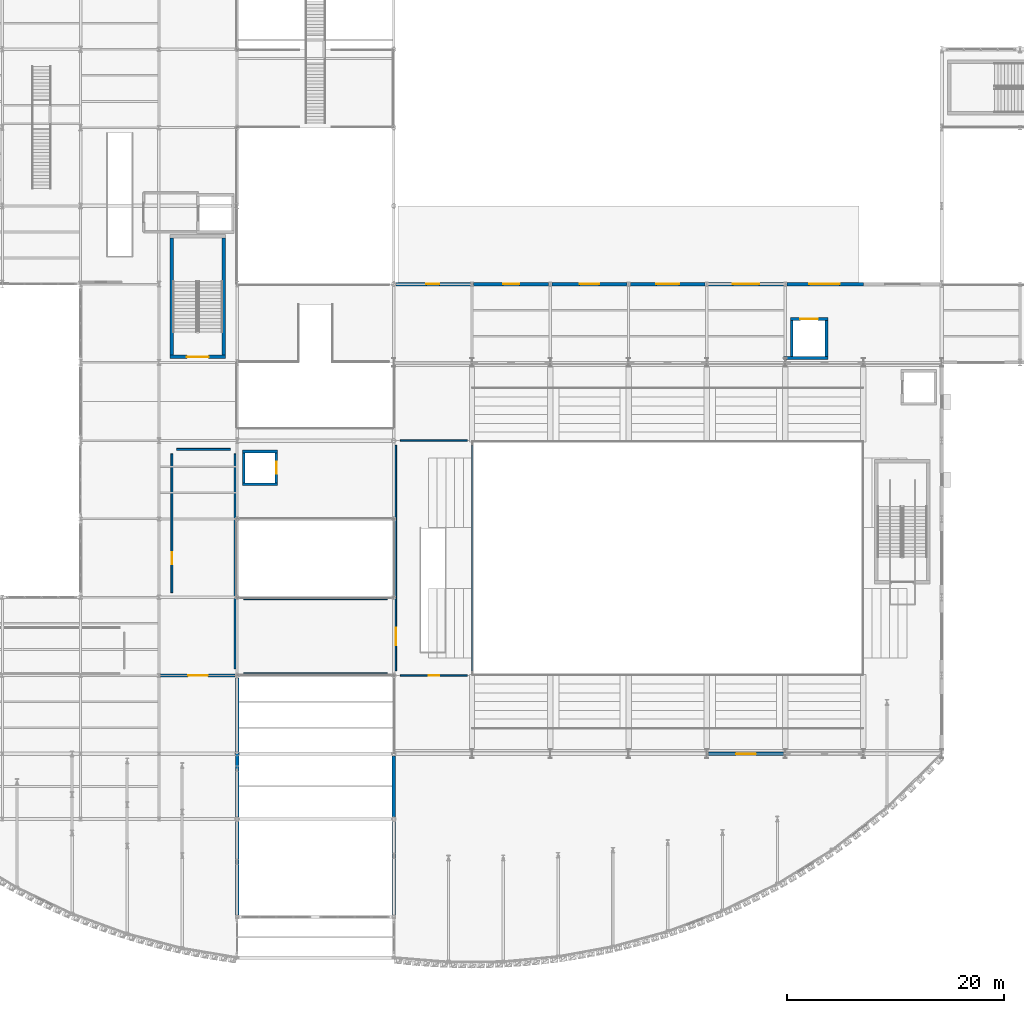
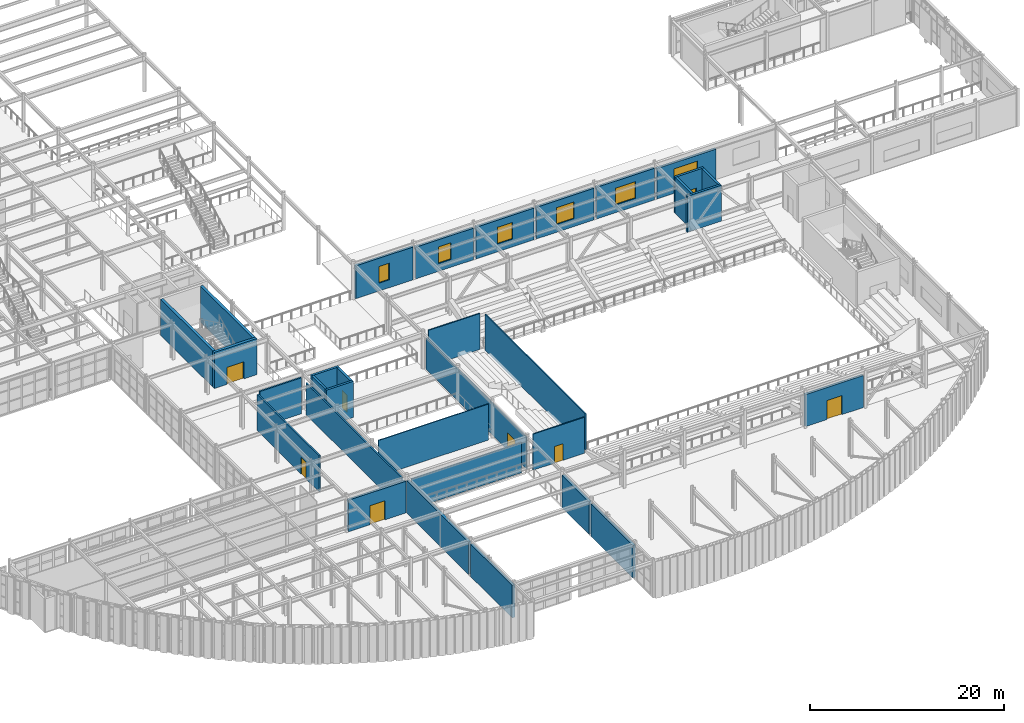
# One storey, part 95 of 121: 32 walls, 8 doors, 6 windows, 14 openings.
"""IFC4 building model written with IfcOpenShell, lengths in metres."""

from ifc_helpers import new_model, si_unit, direction, frame, frame_2d, origin, place, context, subcontext, project, spatial, rectangle, extrude, material, layer, layer_set, type_object, element, fill, save


model = new_model("IFC4")

# Units and contexts
model_context = context("Model", 3, precision=1e-05, world=origin(), true_north=direction((0.0, 1.0)))
body_context = subcontext(model_context, "Body", "Model", "MODEL_VIEW")
ifc_project = project(units=[si_unit("LENGTHUNIT", "METRE"), si_unit("AREAUNIT", "SQUARE_METRE"), si_unit("VOLUMEUNIT", "CUBIC_METRE"), si_unit("PLANEANGLEUNIT", "RADIAN"), si_unit("MASSUNIT", "GRAM", prefix="KILO")], contexts=[model_context])

# Site, building, storey
site_placement = place(None, origin())
site = spatial("IfcSite", under=ifc_project, at=site_placement, CompositionType="ELEMENT")
building_placement = place(site_placement, origin())
building = spatial("IfcBuilding", under=site, at=building_placement, Name="Solvadek Multi-Sports Hall", CompositionType="ELEMENT")
storey_placement = place(building_placement, frame((0.0, 0.0, 4.800048828125)))
storey = spatial("IfcBuildingStorey", under=building, at=storey_placement, Name="L01", CompositionType="ELEMENT", Elevation=4.800048828125)

# Walls
ifc_material_1 = material(Name="Dressed honey-cream limestone ashlar", Category="masonry")
ifc_layer_1 = layer(ifc_material_1, 0.300048828125, Name="Dressed honey-cream limestone ashlar")
ifc_layer_set_1 = layer_set([ifc_layer_1], Name="Dressed honey-cream limestone ashlar")
wall_type_1 = type_object("IfcWallType", Name="ENV-WAL-EXT300", PredefinedType="SOLIDWALL", material=ifc_layer_set_1)
wall_1_placement = place(storey_placement, frame((72.0, -8.845947265625, 0.0), z_axis=(0.0, 0.0, 1.0), x_axis=(0.0, 1.0, 0.0)))
element("IfcWall", 1, at=wall_1_placement, inside=storey, type_object=wall_type_1, Name="L01 Exterior Masonry Wall #215", PredefinedType="SOLIDWALL", context=body_context, shape_type="SweptSolid", body=[
    extrude(rectangle(XDim=8.638671875, YDim=0.300048828125, at=frame_2d((4.3193359375, 0.0))), origin(), (0.0, 0.0, 1.0), 4.094970703125),
])
wall_2_placement = place(storey_placement, frame((72.0, 0.207275390625, 0.0), z_axis=(0.0, 0.0, 1.0), x_axis=(0.0, 1.0, 0.0)))
element("IfcWall", 2, at=wall_2_placement, inside=storey, type_object=wall_type_1, Name="L01 Exterior Masonry Wall #218", PredefinedType="SOLIDWALL", context=body_context, shape_type="SweptSolid", body=[
    extrude(rectangle(XDim=12.78564453125, YDim=0.300048828125, at=frame_2d((6.392822265625, 0.0))), origin(), (0.0, 0.0, 1.0), 4.094970703125),
])
wall_3_placement = place(storey_placement, frame((86.39990234375, -8.845947265625, 0.0), z_axis=(0.0, 0.0, 1.0), x_axis=(0.0, 1.0, 0.0)))
element("IfcWall", 3, at=wall_3_placement, inside=storey, type_object=wall_type_1, Name="L01 Exterior Masonry Wall #222", PredefinedType="SOLIDWALL", context=body_context, shape_type="SweptSolid", body=[
    extrude(rectangle(XDim=8.638671875, YDim=0.300048828125, at=frame_2d((4.3193359375, 0.0))), origin(), (0.0, 0.0, 1.0), 4.094970703125),
])
wall_4_placement = place(storey_placement, frame((86.39990234375, 0.207275390625, 0.0), z_axis=(0.0, 0.0, 1.0), x_axis=(0.0, 1.0, 0.0)))
element("IfcWall", 4, at=wall_4_placement, inside=storey, type_object=wall_type_1, Name="L01 Exterior Masonry Wall #225", PredefinedType="SOLIDWALL", context=body_context, shape_type="SweptSolid", body=[
    extrude(rectangle(XDim=5.58544921875, YDim=0.300048828125, at=frame_2d((2.792724609375, 0.0))), origin(), (0.0, 0.0, 1.0), 4.094970703125),
])

# Wall, opening, window
wall_5_placement = place(storey_placement, frame((86.607177734375, 49.199951171875, 0.0), z_axis=(0.0, 0.0, 1.0), x_axis=(1.0, 0.0, 0.0)))
wall_5 = element("IfcWall", 5, at=wall_5_placement, inside=storey, type_object=wall_type_1, Name="L01 Exterior Masonry Wall #245", PredefinedType="SOLIDWALL", context=body_context, shape_type="SweptSolid", body=[
    extrude(rectangle(XDim=6.8388671875, YDim=0.300048828125, at=frame_2d((3.41943359375, 0.0))), origin(), (0.0, 0.0, 1.0), 4.14501953125),
])
opening_1_placement = place(wall_5_placement, frame((2.792724609375, 0.0, 1.0)))
opening_1 = element("IfcOpeningElement", 6, at=opening_1_placement, cuts=wall_5, Name="Opening WN-09", PredefinedType="OPENING", context=body_context, shape_type="SweptSolid", body=[
    extrude(rectangle(XDim=1.199951171875, YDim=2.10009765625, at=frame_2d((0.60009765625, 1.050048828125))), frame((0.0, 0.159912109375, 0.0), z_axis=(0.0, -1.0, 0.0), x_axis=(1.0, 0.0, 0.0)), (0.0, 0.0, 1.0), 0.320068359375),
])
ifc_material_2 = material(Name="Tempered laminated low-E glass", Category="glass")
window_type_1 = type_object("IfcWindowType", Name="ENV-WIN-WN-09", PartitioningType="SINGLE_PANEL", PredefinedType="WINDOW", material=ifc_material_2)
window_1_placement = place(opening_1_placement, origin())
window_1 = element("IfcWindow", 7, at=window_1_placement, inside=storey, type_object=window_type_1, Name="L01 Facade Window WN-09 #101", OverallHeight=2.10009765625, OverallWidth=1.199951171875, PartitioningType="SINGLE_PANEL", PredefinedType="WINDOW", context=body_context, shape_type="SweptSolid", body=[
    extrude(rectangle(XDim=1.199951171875, YDim=2.10009765625, at=frame_2d((0.60009765625, 1.050048828125))), frame((0.0, 0.030029296875, 0.0), z_axis=(0.0, -1.0, 0.0), x_axis=(1.0, 0.0, 0.0)), (0.0, 0.0, 1.0), 0.06005859375),
])
fill(opening_1, window_1)

wall_6_placement = place(storey_placement, frame((93.75390625, 49.199951171875, 0.0), z_axis=(0.0, 0.0, 1.0), x_axis=(1.0, 0.0, 0.0)))
wall_6 = element("IfcWall", 8, at=wall_6_placement, inside=storey, type_object=wall_type_1, Name="L01 Exterior Masonry Wall #246", PredefinedType="SOLIDWALL", context=body_context, shape_type="SweptSolid", body=[
    extrude(rectangle(XDim=6.89208984375, YDim=0.300048828125, at=frame_2d((3.446044921875, 0.0))), origin(), (0.0, 0.0, 1.0), 3.994873046875),
])
opening_2_placement = place(wall_6_placement, frame((2.696044921875, 0.0, 1.0)))
opening_2 = element("IfcOpeningElement", 9, at=opening_2_placement, cuts=wall_6, Name="Opening WN-10", PredefinedType="OPENING", context=body_context, shape_type="SweptSolid", body=[
    extrude(rectangle(XDim=1.5, YDim=2.10009765625, at=frame_2d((0.75, 1.050048828125))), frame((0.0, 0.159912109375, 0.0), z_axis=(0.0, -1.0, 0.0), x_axis=(1.0, 0.0, 0.0)), (0.0, 0.0, 1.0), 0.320068359375),
])
window_type_2 = type_object("IfcWindowType", Name="ENV-WIN-WN-10", PartitioningType="SINGLE_PANEL", PredefinedType="WINDOW", material=ifc_material_2)
window_2_placement = place(opening_2_placement, origin())
window_2 = element("IfcWindow", 10, at=window_2_placement, inside=storey, type_object=window_type_2, Name="L01 Facade Window WN-10 #102", OverallHeight=2.10009765625, OverallWidth=1.5, PartitioningType="SINGLE_PANEL", PredefinedType="WINDOW", context=body_context, shape_type="SweptSolid", body=[
    extrude(rectangle(XDim=1.5, YDim=2.10009765625, at=frame_2d((0.75, 1.050048828125))), frame((0.0, 0.030029296875, 0.0), z_axis=(0.0, -1.0, 0.0), x_axis=(1.0, 0.0, 0.0)), (0.0, 0.0, 1.0), 0.06005859375),
])
fill(opening_2, window_2)

wall_7_placement = place(storey_placement, frame((100.9541015625, 49.199951171875, 0.0), z_axis=(0.0, 0.0, 1.0), x_axis=(1.0, 0.0, 0.0)))
wall_7 = element("IfcWall", 11, at=wall_7_placement, inside=storey, type_object=wall_type_1, Name="L01 Exterior Masonry Wall #247", PredefinedType="SOLIDWALL", context=body_context, shape_type="SweptSolid", body=[
    extrude(rectangle(XDim=6.891845703125, YDim=0.300048828125, at=frame_2d((3.44580078125, 0.0))), origin(), (0.0, 0.0, 1.0), 3.994873046875),
])
opening_3_placement = place(wall_7_placement, frame((2.5458984375, 0.0, 1.0)))
opening_3 = element("IfcOpeningElement", 12, at=opening_3_placement, cuts=wall_7, Name="Opening WN-11", PredefinedType="OPENING", context=body_context, shape_type="SweptSolid", body=[
    extrude(rectangle(XDim=1.800048828125, YDim=2.10009765625, at=frame_2d((0.89990234375, 1.050048828125))), frame((0.0, 0.159912109375, 0.0), z_axis=(0.0, -1.0, 0.0), x_axis=(1.0, 0.0, 0.0)), (0.0, 0.0, 1.0), 0.320068359375),
])
window_type_3 = type_object("IfcWindowType", Name="ENV-WIN-WN-11", PartitioningType="SINGLE_PANEL", PredefinedType="WINDOW", material=ifc_material_2)
window_3_placement = place(opening_3_placement, origin())
window_3 = element("IfcWindow", 13, at=window_3_placement, inside=storey, type_object=window_type_3, Name="L01 Facade Window WN-11 #103", OverallHeight=2.10009765625, OverallWidth=1.800048828125, PartitioningType="SINGLE_PANEL", PredefinedType="WINDOW", context=body_context, shape_type="SweptSolid", body=[
    extrude(rectangle(XDim=1.800048828125, YDim=2.10009765625, at=frame_2d((0.89990234375, 1.050048828125))), frame((0.0, 0.030029296875, 0.0), z_axis=(0.0, -1.0, 0.0), x_axis=(1.0, 0.0, 0.0)), (0.0, 0.0, 1.0), 0.06005859375),
])
fill(opening_3, window_3)

wall_8_placement = place(storey_placement, frame((108.154052734375, 49.199951171875, 0.0), z_axis=(0.0, 0.0, 1.0), x_axis=(1.0, 0.0, 0.0)))
wall_8 = element("IfcWall", 14, at=wall_8_placement, inside=storey, type_object=wall_type_1, Name="L01 Exterior Masonry Wall #248", PredefinedType="SOLIDWALL", context=body_context, shape_type="SweptSolid", body=[
    extrude(rectangle(XDim=6.891845703125, YDim=0.300048828125, at=frame_2d((3.44580078125, 0.0))), origin(), (0.0, 0.0, 1.0), 3.994873046875),
])
opening_4_placement = place(wall_8_placement, frame((2.39599609375, 0.0, 1.0)))
opening_4 = element("IfcOpeningElement", 15, at=opening_4_placement, cuts=wall_8, Name="Opening WN-12", PredefinedType="OPENING", context=body_context, shape_type="SweptSolid", body=[
    extrude(rectangle(XDim=2.10009765625, YDim=2.10009765625, at=frame_2d((1.050048828125, 1.050048828125))), frame((0.0, 0.159912109375, 0.0), z_axis=(0.0, -1.0, 0.0), x_axis=(1.0, 0.0, 0.0)), (0.0, 0.0, 1.0), 0.320068359375),
])
window_type_4 = type_object("IfcWindowType", Name="ENV-WIN-WN-12", PartitioningType="SINGLE_PANEL", PredefinedType="WINDOW", material=ifc_material_2)
window_4_placement = place(opening_4_placement, origin())
window_4 = element("IfcWindow", 16, at=window_4_placement, inside=storey, type_object=window_type_4, Name="L01 Facade Window WN-12 #104", OverallHeight=2.10009765625, OverallWidth=2.10009765625, PartitioningType="SINGLE_PANEL", PredefinedType="WINDOW", context=body_context, shape_type="SweptSolid", body=[
    extrude(rectangle(XDim=2.10009765625, YDim=2.10009765625, at=frame_2d((1.050048828125, 1.050048828125))), frame((0.0, 0.030029296875, 0.0), z_axis=(0.0, -1.0, 0.0), x_axis=(1.0, 0.0, 0.0)), (0.0, 0.0, 1.0), 0.06005859375),
])
fill(opening_4, window_4)

wall_9_placement = place(storey_placement, frame((115.35400390625, 49.199951171875, 0.0), z_axis=(0.0, 0.0, 1.0), x_axis=(1.0, 0.0, 0.0)))
wall_9 = element("IfcWall", 17, at=wall_9_placement, inside=storey, type_object=wall_type_1, Name="L01 Exterior Masonry Wall #249", PredefinedType="SOLIDWALL", context=body_context, shape_type="SweptSolid", body=[
    extrude(rectangle(XDim=6.89208984375, YDim=0.300048828125, at=frame_2d((3.446044921875, 0.0))), origin(), (0.0, 0.0, 1.0), 3.994873046875),
])
opening_5_placement = place(wall_9_placement, frame((2.24609375, 0.0, 1.0)))
opening_5 = element("IfcOpeningElement", 18, at=opening_5_placement, cuts=wall_9, Name="Opening WN-13", PredefinedType="OPENING", context=body_context, shape_type="SweptSolid", body=[
    extrude(rectangle(XDim=2.39990234375, YDim=2.10009765625, at=frame_2d((1.199951171875, 1.050048828125))), frame((0.0, 0.159912109375, 0.0), z_axis=(0.0, -1.0, 0.0), x_axis=(1.0, 0.0, 0.0)), (0.0, 0.0, 1.0), 0.320068359375),
])
window_type_5 = type_object("IfcWindowType", Name="ENV-WIN-WN-13", PartitioningType="SINGLE_PANEL", PredefinedType="WINDOW", material=ifc_material_2)
window_5_placement = place(opening_5_placement, origin())
window_5 = element("IfcWindow", 19, at=window_5_placement, inside=storey, type_object=window_type_5, Name="L01 Facade Window WN-13 #105", OverallHeight=2.10009765625, OverallWidth=2.39990234375, PartitioningType="SINGLE_PANEL", PredefinedType="WINDOW", context=body_context, shape_type="SweptSolid", body=[
    extrude(rectangle(XDim=2.39990234375, YDim=2.10009765625, at=frame_2d((1.199951171875, 1.050048828125))), frame((0.0, 0.030029296875, 0.0), z_axis=(0.0, -1.0, 0.0), x_axis=(1.0, 0.0, 0.0)), (0.0, 0.0, 1.0), 0.06005859375),
])
fill(opening_5, window_5)

wall_10_placement = place(storey_placement, frame((122.553955078125, 49.199951171875, 0.0), z_axis=(0.0, 0.0, 1.0), x_axis=(1.0, 0.0, 0.0)))
wall_10 = element("IfcWall", 20, at=wall_10_placement, inside=storey, type_object=wall_type_1, Name="L01 Exterior Masonry Wall #250", PredefinedType="SOLIDWALL", context=body_context, shape_type="SweptSolid", body=[
    extrude(rectangle(XDim=7.046142578125, YDim=0.300048828125, at=frame_2d((3.52294921875, 0.0))), origin(), (0.0, 0.0, 1.0), 3.844970703125),
])
opening_6_placement = place(wall_10_placement, frame((2.0458984375, 0.0, 1.0)))
opening_6 = element("IfcOpeningElement", 21, at=opening_6_placement, cuts=wall_10, Name="Opening WN-14", PredefinedType="OPENING", context=body_context, shape_type="SweptSolid", body=[
    extrude(rectangle(XDim=2.800048828125, YDim=2.10009765625, at=frame_2d((1.39990234375, 1.050048828125))), frame((0.0, 0.159912109375, 0.0), z_axis=(0.0, -1.0, 0.0), x_axis=(1.0, 0.0, 0.0)), (0.0, 0.0, 1.0), 0.320068359375),
])
window_type_6 = type_object("IfcWindowType", Name="ENV-WIN-WN-14", PartitioningType="SINGLE_PANEL", PredefinedType="WINDOW", material=ifc_material_2)
window_6_placement = place(opening_6_placement, origin())
window_6 = element("IfcWindow", 22, at=window_6_placement, inside=storey, type_object=window_type_6, Name="L01 Facade Window WN-14 #106", OverallHeight=2.10009765625, OverallWidth=2.800048828125, PartitioningType="SINGLE_PANEL", PredefinedType="WINDOW", context=body_context, shape_type="SweptSolid", body=[
    extrude(rectangle(XDim=2.800048828125, YDim=2.10009765625, at=frame_2d((1.39990234375, 1.050048828125))), frame((0.0, 0.030029296875, 0.0), z_axis=(0.0, -1.0, 0.0), x_axis=(1.0, 0.0, 0.0)), (0.0, 0.0, 1.0), 0.06005859375),
])
fill(opening_6, window_6)

# Wall, opening, door
wall_11_placement = place(storey_placement, frame((64.9541015625, 13.199951171875, 0.0), z_axis=(0.0, 0.0, 1.0), x_axis=(1.0, 0.0, 0.0)))
wall_11 = element("IfcWall", 23, at=wall_11_placement, inside=storey, type_object=wall_type_1, Name="L01 Exterior Masonry Wall #288", PredefinedType="SOLIDWALL", context=body_context, shape_type="SweptSolid", body=[
    extrude(rectangle(XDim=6.838623046875, YDim=0.300048828125, at=frame_2d((3.41943359375, 0.0))), origin(), (0.0, 0.0, 1.0), 3.994873046875),
])
opening_7_placement = place(wall_11_placement, frame((2.5458984375, 0.0, 0.0)))
opening_7 = element("IfcOpeningElement", 24, at=opening_7_placement, cuts=wall_11, Name="Opening D-LG01", PredefinedType="OPENING", context=body_context, shape_type="SweptSolid", body=[
    extrude(rectangle(XDim=1.800048828125, YDim=2.39990234375, at=frame_2d((0.89990234375, 1.199951171875))), frame((0.0, 0.159912109375, 0.0), z_axis=(0.0, -1.0, 0.0), x_axis=(1.0, 0.0, 0.0)), (0.0, 0.0, 1.0), 0.320068359375),
])
ifc_material_3 = material(Name="Anodised aluminium", Category="aluminium")
door_type_1 = type_object("IfcDoorType", Name="ENV-DOR-CTY180X240", OperationType="DOUBLE_DOOR_SINGLE_SWING", PredefinedType="DOOR", material=ifc_material_3)
door_1_placement = place(opening_7_placement, frame((1.800048828125, 0.0, 0.0), z_axis=(0.0, 0.0, 1.0), x_axis=(-1.0, 0.0, 0.0)))
door_1 = element("IfcDoor", 25, at=door_1_placement, inside=storey, type_object=door_type_1, Name="First Floor West Crescent Loggia Door", OperationType="DOUBLE_DOOR_SINGLE_SWING", OverallHeight=2.39990234375, OverallWidth=1.800048828125, PredefinedType="DOOR", context=body_context, shape_type="SweptSolid", body=[
    extrude(rectangle(XDim=1.800048828125, YDim=2.39990234375, at=frame_2d((0.89990234375, 1.199951171875))), frame((0.0, 0.02490234375, 0.0), z_axis=(0.0, -1.0, 0.0), x_axis=(1.0, 0.0, 0.0)), (0.0, 0.0, 1.0), 0.050048828125),
])
fill(opening_7, door_1)

wall_12_placement = place(storey_placement, frame((115.35400390625, 6.0, 0.0), z_axis=(0.0, 0.0, 1.0), x_axis=(1.0, 0.0, 0.0)))
wall_12 = element("IfcWall", 26, at=wall_12_placement, inside=storey, type_object=wall_type_1, Name="L01 Exterior Masonry Wall #289", PredefinedType="SOLIDWALL", context=body_context, shape_type="SweptSolid", body=[
    extrude(rectangle(XDim=6.89208984375, YDim=0.300048828125, at=frame_2d((3.446044921875, 0.0))), origin(), (0.0, 0.0, 1.0), 4.044921875),
])
opening_8_placement = place(wall_12_placement, frame((2.5458984375, 0.0, 0.0)))
opening_8 = element("IfcOpeningElement", 27, at=opening_8_placement, cuts=wall_12, Name="Opening D-LG02", PredefinedType="OPENING", context=body_context, shape_type="SweptSolid", body=[
    extrude(rectangle(XDim=1.800048828125, YDim=2.39990234375, at=frame_2d((0.89990234375, 1.199951171875))), frame((0.0, 0.159912109375, 0.0), z_axis=(0.0, -1.0, 0.0), x_axis=(1.0, 0.0, 0.0)), (0.0, 0.0, 1.0), 0.320068359375),
])
door_2_placement = place(opening_8_placement, frame((1.800048828125, 0.0, 0.0), z_axis=(0.0, 0.0, 1.0), x_axis=(-1.0, 0.0, 0.0)))
door_2 = element("IfcDoor", 28, at=door_2_placement, inside=storey, type_object=door_type_1, Name="First Floor East Crescent Loggia Door", OperationType="DOUBLE_DOOR_SINGLE_SWING", OverallHeight=2.39990234375, OverallWidth=1.800048828125, PredefinedType="DOOR", context=body_context, shape_type="SweptSolid", body=[
    extrude(rectangle(XDim=1.800048828125, YDim=2.39990234375, at=frame_2d((0.89990234375, 1.199951171875))), frame((0.0, 0.02490234375, 0.0), z_axis=(0.0, -1.0, 0.0), x_axis=(1.0, 0.0, 0.0)), (0.0, 0.0, 1.0), 0.050048828125),
])
fill(opening_8, door_2)

# Walls
ifc_material_4 = material(Name="Autoclaved aerated concrete blockwork", Category="masonry")
ifc_layer_2 = layer(ifc_material_4, 0.10498046875, Name="Autoclaved aerated concrete blockwork")
ifc_layer_set_2 = layer_set([ifc_layer_2], Name="Autoclaved aerated concrete blockwork")
wall_type_2 = type_object("IfcWallType", Name="INT-WAL-PRT105", PredefinedType="PARTITIONING", material=ifc_layer_set_2)
wall_13_placement = place(storey_placement, frame((72.6201171875, 13.39990234375, 0.0), z_axis=(0.0, 0.0, 1.0), x_axis=(1.0, 0.0, 0.0)))
element("IfcWall", 29, at=wall_13_placement, inside=storey, type_object=wall_type_2, Name="L01 Partition Wall L01-09 S", PredefinedType="PARTITIONING", context=body_context, shape_type="SweptSolid", body=[
    extrude(rectangle(XDim=13.159912109375, YDim=0.10498046875, at=frame_2d((6.580078125, 0.0))), origin(), (0.0, 0.0, 1.0), 3.83984375),
])
wall_14_placement = place(storey_placement, frame((72.6201171875, 20.199951171875, 0.0), z_axis=(0.0, 0.0, 1.0), x_axis=(1.0, 0.0, 0.0)))
element("IfcWall", 30, at=wall_14_placement, inside=storey, type_object=wall_type_2, Name="L01 Partition Wall L01-09 N", PredefinedType="PARTITIONING", context=body_context, shape_type="SweptSolid", body=[
    extrude(rectangle(XDim=13.159912109375, YDim=0.10498046875, at=frame_2d((6.580078125, 0.0))), origin(), (0.0, 0.0, 1.0), 4.544921875),
])

# Wall, opening, door
ifc_layer_3 = layer(ifc_material_4, 0.135009765625, Name="Autoclaved aerated concrete blockwork")
ifc_layer_set_3 = layer_set([ifc_layer_3], Name="Autoclaved aerated concrete blockwork")
wall_type_3 = type_object("IfcWallType", Name="INT-WAL-PRT135", PredefinedType="PARTITIONING", material=ifc_layer_set_3)
wall_15_placement = place(storey_placement, frame((87.02001953125, 13.199951171875, 0.0), z_axis=(0.0, 0.0, 1.0), x_axis=(1.0, 0.0, 0.0)))
wall_15 = element("IfcWall", 31, at=wall_15_placement, inside=storey, type_object=wall_type_3, Name="L01 Partition Wall L01-05 S", PredefinedType="PARTITIONING", context=body_context, shape_type="SweptSolid", body=[
    extrude(rectangle(XDim=6.159912109375, YDim=0.135009765625, at=frame_2d((3.080078125, 0.0))), origin(), (0.0, 0.0, 1.0), 4.544921875),
])
opening_9_placement = place(wall_15_placement, frame((2.580078125, 0.0, 0.0)))
opening_9 = element("IfcOpeningElement", 32, at=opening_9_placement, cuts=wall_15, Name="Opening D-01", PredefinedType="OPENING", context=body_context, shape_type="SweptSolid", body=[
    extrude(rectangle(XDim=1.0, YDim=2.10009765625, at=frame_2d((0.5, 1.050048828125))), frame((0.0, 0.077392578125, 0.0), z_axis=(0.0, -1.0, 0.0), x_axis=(1.0, 0.0, 0.0)), (0.0, 0.0, 1.0), 0.155029296875),
])
ifc_material_5 = material(Name="Teak hardwood timber", Category="wood")
door_type_2 = type_object("IfcDoorType", Name="INT-DOR-RM100X210", OperationType="NOTDEFINED", PredefinedType="DOOR", material=ifc_material_5)
door_3_placement = place(opening_9_placement, origin())
door_3 = element("IfcDoor", 33, at=door_3_placement, inside=storey, type_object=door_type_2, Name="L01 L01-05 Door #40", OperationType="SINGLE_SWING_LEFT", OverallHeight=2.10009765625, OverallWidth=1.0, PredefinedType="DOOR", context=body_context, shape_type="SweptSolid", body=[
    extrude(rectangle(XDim=1.0, YDim=2.10009765625, at=frame_2d((0.5, 1.050048828125))), frame((0.0, 0.02490234375, 0.0), z_axis=(0.0, -1.0, 0.0), x_axis=(1.0, 0.0, 0.0)), (0.0, 0.0, 1.0), 0.050048828125),
])
fill(opening_9, door_3)

# Wall
wall_16_placement = place(storey_placement, frame((87.02001953125, 34.800048828125, 0.0), z_axis=(0.0, 0.0, 1.0), x_axis=(1.0, 0.0, 0.0)))
element("IfcWall", 34, at=wall_16_placement, inside=storey, type_object=wall_type_3, Name="L01 Partition Wall L01-05 N", PredefinedType="PARTITIONING", context=body_context, shape_type="SweptSolid", body=[
    extrude(rectangle(XDim=6.159912109375, YDim=0.135009765625, at=frame_2d((3.080078125, 0.0))), origin(), (0.0, 0.0, 1.0), 4.544921875),
])

# Wall, opening, door
wall_17_placement = place(storey_placement, frame((86.60009765625, 13.6201171875, 0.0), z_axis=(0.0, 0.0, 1.0), x_axis=(0.0, 1.0, 0.0)))
wall_17 = element("IfcWall", 35, at=wall_17_placement, inside=storey, type_object=wall_type_3, Name="L01 Partition Wall L01-05 W", PredefinedType="PARTITIONING", context=body_context, shape_type="SweptSolid", body=[
    extrude(rectangle(XDim=20.759765625, YDim=0.135009765625, at=frame_2d((10.3798828125, 0.0))), origin(), (0.0, 0.0, 1.0), 3.989990234375),
])
opening_10_placement = place(wall_17_placement, frame((2.3798828125, 0.0, 0.0)))
opening_10 = element("IfcOpeningElement", 36, at=opening_10_placement, cuts=wall_17, Name="Opening D-04", PredefinedType="OPENING", context=body_context, shape_type="SweptSolid", body=[
    extrude(rectangle(XDim=1.60009765625, YDim=2.199951171875, at=frame_2d((0.800048828125, 1.10009765625))), frame((0.0, 0.077392578125, 0.0), z_axis=(0.0, -1.0, 0.0), x_axis=(1.0, 0.0, 0.0)), (0.0, 0.0, 1.0), 0.155029296875),
])
door_type_3 = type_object("IfcDoorType", Name="INT-DOR-STR160X220", OperationType="DOUBLE_DOOR_SINGLE_SWING", PredefinedType="DOOR", material=ifc_material_5)
door_4_placement = place(opening_10_placement, origin())
door_4 = element("IfcDoor", 37, at=door_4_placement, inside=storey, type_object=door_type_3, Name="L01 L01-09 Door #5", OperationType="DOUBLE_DOOR_SINGLE_SWING", OverallHeight=2.199951171875, OverallWidth=1.60009765625, PredefinedType="DOOR", context=body_context, shape_type="SweptSolid", body=[
    extrude(rectangle(XDim=1.60009765625, YDim=2.199951171875, at=frame_2d((0.800048828125, 1.10009765625))), frame((0.0, 0.02490234375, 0.0), z_axis=(0.0, -1.0, 0.0), x_axis=(1.0, 0.0, 0.0)), (0.0, 0.0, 1.0), 0.050048828125),
])
fill(opening_10, door_4)

# Walls
wall_18_placement = place(storey_placement, frame((93.60009765625, 13.6201171875, 0.0), z_axis=(0.0, 0.0, 1.0), x_axis=(0.0, 1.0, 0.0)))
element("IfcWall", 38, at=wall_18_placement, inside=storey, type_object=wall_type_3, Name="L01 Partition Wall L01-05 E", PredefinedType="PARTITIONING", context=body_context, shape_type="SweptSolid", body=[
    extrude(rectangle(XDim=20.759765625, YDim=0.135009765625, at=frame_2d((10.3798828125, 0.0))), origin(), (0.0, 0.0, 1.0), 4.544921875),
])
ifc_layer_4 = layer(ifc_material_4, 0.179931640625, Name="Autoclaved aerated concrete blockwork")
ifc_layer_set_4 = layer_set([ifc_layer_4], Name="Autoclaved aerated concrete blockwork")
wall_type_4 = type_object("IfcWallType", Name="INT-WAL-PRT180", PredefinedType="PARTITIONING", material=ifc_layer_set_4)
wall_19_placement = place(storey_placement, frame((66.419921875, 34.0, 0.0), z_axis=(0.0, 0.0, 1.0), x_axis=(1.0, 0.0, 0.0)))
element("IfcWall", 39, at=wall_19_placement, inside=storey, type_object=wall_type_4, Name="L01 Partition Wall L01-17 N", PredefinedType="PARTITIONING", context=body_context, shape_type="SweptSolid", body=[
    extrude(rectangle(XDim=4.9599609375, YDim=0.179931640625, at=frame_2d((2.47998046875, 0.0))), origin(), (0.0, 0.0, 1.0), 4.544921875),
])

# Wall, opening, door
wall_20_placement = place(storey_placement, frame((66.0, 20.820068359375, 0.0), z_axis=(0.0, 0.0, 1.0), x_axis=(0.0, 1.0, 0.0)))
wall_20 = element("IfcWall", 40, at=wall_20_placement, inside=storey, type_object=wall_type_4, Name="L01 Partition Wall L01-17 W", PredefinedType="PARTITIONING", context=body_context, shape_type="SweptSolid", body=[
    extrude(rectangle(XDim=12.760009765625, YDim=0.179931640625, at=frame_2d((6.3798828125, 0.0))), origin(), (0.0, 0.0, 1.0), 4.544921875),
])
opening_11_placement = place(wall_20_placement, frame((2.6298828125, 0.0, 0.0)))
opening_11 = element("IfcOpeningElement", 41, at=opening_11_placement, cuts=wall_20, Name="Opening FD60", PredefinedType="OPENING", context=body_context, shape_type="SweptSolid", body=[
    extrude(rectangle(XDim=1.10009765625, YDim=2.14990234375, at=frame_2d((0.550048828125, 1.074951171875))), frame((0.0, 0.099853515625, 0.0), z_axis=(0.0, -1.0, 0.0), x_axis=(1.0, 0.0, 0.0)), (0.0, 0.0, 1.0), 0.199951171875),
])
ifc_material_6 = material(Name="Steel E250 (250 MPa)", Category="steel")
door_type_4 = type_object("IfcDoorType", Name="INT-DOR-FD110X215", OperationType="NOTDEFINED", PredefinedType="DOOR", material=ifc_material_6)
door_5_placement = place(opening_11_placement, frame((1.10009765625, 0.0, 0.0), z_axis=(0.0, 0.0, 1.0), x_axis=(-1.0, 0.0, 0.0)))
door_5 = element("IfcDoor", 42, at=door_5_placement, inside=storey, type_object=door_type_4, Name="L01 L01-17 Door #7", OperationType="SINGLE_SWING_RIGHT", OverallHeight=2.14990234375, OverallWidth=1.10009765625, PredefinedType="DOOR", context=body_context, shape_type="SweptSolid", body=[
    extrude(rectangle(XDim=1.10009765625, YDim=2.14990234375, at=frame_2d((0.550048828125, 1.074951171875))), frame((0.0, 0.02490234375, 0.0), z_axis=(0.0, -1.0, 0.0), x_axis=(1.0, 0.0, 0.0)), (0.0, 0.0, 1.0), 0.050048828125),
])
fill(opening_11, door_5)

# Walls
wall_21_placement = place(storey_placement, frame((71.800048828125, 13.820068359375, 0.0), z_axis=(0.0, 0.0, 1.0), x_axis=(0.0, 1.0, 0.0)))
element("IfcWall", 43, at=wall_21_placement, inside=storey, type_object=wall_type_4, Name="L01 Partition Wall L01-17 E", PredefinedType="PARTITIONING", context=body_context, shape_type="SweptSolid", body=[
    extrude(rectangle(XDim=19.760009765625, YDim=0.179931640625, at=frame_2d((9.8798828125, 0.0))), origin(), (0.0, 0.0, 1.0), 3.989990234375),
])
ifc_material_7 = material(Name="Concrete M40", Category="concrete")
ifc_layer_5 = layer(ifc_material_7, 0.260009765625, Name="Concrete M40")
ifc_layer_set_5 = layer_set([ifc_layer_5], Name="Concrete M40")
wall_type_5 = type_object("IfcWallType", Name="INT-WAL-SHR260", PredefinedType="SHEAR", material=ifc_layer_set_5)
for number, where, z_axis, x_axis, name in (
    (44, (72.469970703125, 30.800048828125, 0.0), (0.0, 0.0, 1.0), (1.0, 0.0, 0.0), "Lift LP-02 Shaft Shear Wall L01 south"),
    (45, (72.469970703125, 33.800048828125, 0.0), (0.0, 0.0, 1.0), (1.0, 0.0, 0.0), "Lift LP-02 Shaft Shear Wall L01 north"),
):
    element("IfcWall", number, at=place(storey_placement, frame(where, z_axis=z_axis, x_axis=x_axis)), inside=storey, type_object=wall_type_5, Name=name, PredefinedType="SHEAR", context=body_context, shape_type="SweptSolid", body=[
        extrude(rectangle(XDim=3.260009765625, YDim=0.260009765625, at=frame_2d((1.6298828125, 0.0))), origin(), (0.0, 0.0, 1.0), 4.56005859375),
    ])
wall_22_placement = place(storey_placement, frame((72.60009765625, 30.929931640625, 0.0), z_axis=(0.0, 0.0, 1.0), x_axis=(0.0, 1.0, 0.0)))
element("IfcWall", 46, at=wall_22_placement, inside=storey, type_object=wall_type_5, Name="Lift LP-02 Shaft Shear Wall L01 west", PredefinedType="SHEAR", context=body_context, shape_type="SweptSolid", body=[
    extrude(rectangle(XDim=2.739990234375, YDim=0.260009765625, at=frame_2d((1.3701171875, 0.0))), origin(), (0.0, 0.0, 1.0), 4.56005859375),
])

# Wall, opening, door
wall_23_placement = place(storey_placement, frame((75.60009765625, 30.929931640625, 0.0), z_axis=(0.0, 0.0, 1.0), x_axis=(0.0, 1.0, 0.0)))
wall_23 = element("IfcWall", 47, at=wall_23_placement, inside=storey, type_object=wall_type_5, Name="Lift LP-02 Shaft Shear Wall L01 east", PredefinedType="SHEAR", context=body_context, shape_type="SweptSolid", body=[
    extrude(rectangle(XDim=2.739990234375, YDim=0.260009765625, at=frame_2d((1.3701171875, 0.0))), origin(), (0.0, 0.0, 1.0), 4.56005859375),
])
opening_12_placement = place(wall_23_placement, frame((0.820068359375, 0.0, 0.0)))
opening_12 = element("IfcOpeningElement", 48, at=opening_12_placement, cuts=wall_23, Name="Opening LD-18", PredefinedType="OPENING", context=body_context, shape_type="SweptSolid", body=[
    extrude(rectangle(XDim=1.10009765625, YDim=2.14990234375, at=frame_2d((0.550048828125, 1.074951171875))), frame((0.0, 0.139892578125, 0.0), z_axis=(0.0, -1.0, 0.0), x_axis=(1.0, 0.0, 0.0)), (0.0, 0.0, 1.0), 0.280029296875),
])
door_type_5 = type_object("IfcDoorType", Name="INT-DOR-LD110X215", OperationType="DOUBLE_DOOR_SLIDING", PredefinedType="DOOR", material=ifc_material_3)
door_6_placement = place(opening_12_placement, origin())
door_6 = element("IfcDoor", 49, at=door_6_placement, inside=storey, type_object=door_type_5, Name="L01 Lift LP-02 Sliding Landing Door LD-18", OperationType="DOUBLE_DOOR_SLIDING", OverallHeight=2.14990234375, OverallWidth=1.10009765625, PredefinedType="DOOR", context=body_context, shape_type="SweptSolid", body=[
    extrude(rectangle(XDim=1.10009765625, YDim=2.14990234375, at=frame_2d((0.550048828125, 1.074951171875))), frame((0.0, 0.02490234375, 0.0), z_axis=(0.0, -1.0, 0.0), x_axis=(1.0, 0.0, 0.0)), (0.0, 0.0, 1.0), 0.050048828125),
])
fill(opening_12, door_6)

# Wall
wall_24_placement = place(storey_placement, frame((122.25, 42.39990234375, 0.0), z_axis=(0.0, 0.0, 1.0), x_axis=(1.0, 0.0, 0.0)))
element("IfcWall", 50, at=wall_24_placement, inside=storey, type_object=wall_type_5, Name="Lift LG-01 Shaft Shear Wall L01 south", PredefinedType="SHEAR", context=body_context, shape_type="SweptSolid", body=[
    extrude(rectangle(XDim=4.080078125, YDim=0.260009765625, at=frame_2d((2.0400390625, 0.0))), origin(), (0.0, 0.0, 1.0), 4.56005859375),
])

# Wall, opening, door
wall_25_placement = place(storey_placement, frame((122.8701171875, 46.0, 0.0), z_axis=(0.0, 0.0, 1.0), x_axis=(1.0, 0.0, 0.0)))
wall_25 = element("IfcWall", 51, at=wall_25_placement, inside=storey, type_object=wall_type_5, Name="Lift LG-01 Shaft Shear Wall L01 north", PredefinedType="SHEAR", context=body_context, shape_type="SweptSolid", body=[
    extrude(rectangle(XDim=3.4599609375, YDim=0.260009765625, at=frame_2d((1.72998046875, 0.0))), origin(), (0.0, 0.0, 1.0), 4.56005859375),
])
opening_13_placement = place(wall_25_placement, frame((0.929931640625, 0.0, 0.0)))
opening_13 = element("IfcOpeningElement", 52, at=opening_13_placement, cuts=wall_25, Name="Opening LD-26", PredefinedType="OPENING", context=body_context, shape_type="SweptSolid", body=[
    extrude(rectangle(XDim=1.60009765625, YDim=2.300048828125, at=frame_2d((0.800048828125, 1.14990234375))), frame((0.0, 0.139892578125, 0.0), z_axis=(0.0, -1.0, 0.0), x_axis=(1.0, 0.0, 0.0)), (0.0, 0.0, 1.0), 0.280029296875),
])
door_type_6 = type_object("IfcDoorType", Name="INT-DOR-LD160X230", OperationType="DOUBLE_DOOR_SLIDING", PredefinedType="DOOR", material=ifc_material_6)
door_7_placement = place(opening_13_placement, origin())
door_7 = element("IfcDoor", 53, at=door_7_placement, inside=storey, type_object=door_type_6, Name="L01 Lift LG-01 Sliding Landing Door LD-26", OperationType="DOUBLE_DOOR_SLIDING", OverallHeight=2.300048828125, OverallWidth=1.60009765625, PredefinedType="DOOR", context=body_context, shape_type="SweptSolid", body=[
    extrude(rectangle(XDim=1.60009765625, YDim=2.300048828125, at=frame_2d((0.800048828125, 1.14990234375))), frame((0.0, 0.02490234375, 0.0), z_axis=(0.0, -1.0, 0.0), x_axis=(1.0, 0.0, 0.0)), (0.0, 0.0, 1.0), 0.050048828125),
])
fill(opening_13, door_7)

# Walls
for number, where, z_axis, x_axis, name in (
    (54, (123.0, 42.530029296875, 0.0), (0.0, 0.0, 1.0), (0.0, 1.0, 0.0), "Lift LG-01 Shaft Shear Wall L01 west"),
    (55, (126.199951171875, 42.530029296875, 0.0), (0.0, 0.0, 1.0), (0.0, 1.0, 0.0), "Lift LG-01 Shaft Shear Wall L01 east"),
):
    element("IfcWall", number, at=place(storey_placement, frame(where, z_axis=z_axis, x_axis=x_axis)), inside=storey, type_object=wall_type_5, Name=name, PredefinedType="SHEAR", context=body_context, shape_type="SweptSolid", body=[
        extrude(rectangle(XDim=3.340087890625, YDim=0.260009765625, at=frame_2d((1.669921875, 0.0))), origin(), (0.0, 0.0, 1.0), 4.56005859375),
    ])

# Wall, opening, door
ifc_layer_6 = layer(ifc_material_7, 0.320068359375, Name="Concrete M40")
ifc_layer_set_6 = layer_set([ifc_layer_6], Name="Concrete M40")
wall_type_6 = type_object("IfcWallType", Name="INT-WAL-SHR320", PredefinedType="SHEAR", material=ifc_layer_set_6)
wall_26_placement = place(storey_placement, frame((65.840087890625, 42.5, 0.0), z_axis=(0.0, 0.0, 1.0), x_axis=(1.0, 0.0, 0.0)))
wall_26 = element("IfcWall", 56, at=wall_26_placement, inside=storey, type_object=wall_type_6, Name="L01 Stair ST-04 Shear Wall S", PredefinedType="SHEAR", context=body_context, shape_type="SweptSolid", body=[
    extrude(rectangle(XDim=5.06982421875, YDim=0.320068359375, at=frame_2d((2.534912109375, 0.0))), origin(), (0.0, 0.0, 1.0), 4.56005859375),
])
opening_14_placement = place(wall_26_placement, frame((1.534912109375, 0.0, 0.0)))
opening_14 = element("IfcOpeningElement", 57, at=opening_14_placement, cuts=wall_26, Name="Opening FD120", PredefinedType="OPENING", context=body_context, shape_type="SweptSolid", body=[
    extrude(rectangle(XDim=2.0, YDim=2.14990234375, at=frame_2d((1.0, 1.074951171875))), frame((0.0, 0.169921875, 0.0), z_axis=(0.0, -1.0, 0.0), x_axis=(1.0, 0.0, 0.0)), (0.0, 0.0, 1.0), 0.340087890625),
])
door_type_7 = type_object("IfcDoorType", Name="INT-DOR-FD200X215", OperationType="DOUBLE_DOOR_SINGLE_SWING", PredefinedType="DOOR", material=ifc_material_6)
door_8_placement = place(opening_14_placement, origin())
door_8 = element("IfcDoor", 58, at=door_8_placement, inside=storey, type_object=door_type_7, Name="L01 Stair ST-04 Fire Door", OperationType="DOUBLE_DOOR_SINGLE_SWING", OverallHeight=2.14990234375, OverallWidth=2.0, PredefinedType="DOOR", context=body_context, shape_type="SweptSolid", body=[
    extrude(rectangle(XDim=2.0, YDim=2.14990234375, at=frame_2d((1.0, 1.074951171875))), frame((0.0, 0.02490234375, 0.0), z_axis=(0.0, -1.0, 0.0), x_axis=(1.0, 0.0, 0.0)), (0.0, 0.0, 1.0), 0.050048828125),
])
fill(opening_14, door_8)

# Walls
for number, where, z_axis, x_axis, name in (
    (59, (66.0, 42.659912109375, 0.0), (0.0, 0.0, 1.0), (0.0, 1.0, 0.0), "L01 Stair ST-04 Shear Wall W"),
    (60, (70.75, 42.659912109375, 0.0), (0.0, 0.0, 1.0), (0.0, 1.0, 0.0), "L01 Stair ST-04 Shear Wall E"),
):
    element("IfcWall", number, at=place(storey_placement, frame(where, z_axis=z_axis, x_axis=x_axis)), inside=storey, type_object=wall_type_6, Name=name, PredefinedType="SHEAR", context=body_context, shape_type="SweptSolid", body=[
        extrude(rectangle(XDim=10.780029296875, YDim=0.320068359375, at=frame_2d((5.39013671875, 0.0))), origin(), (0.0, 0.0, 1.0), 4.56005859375),
    ])

save(model, "model.ifc")
